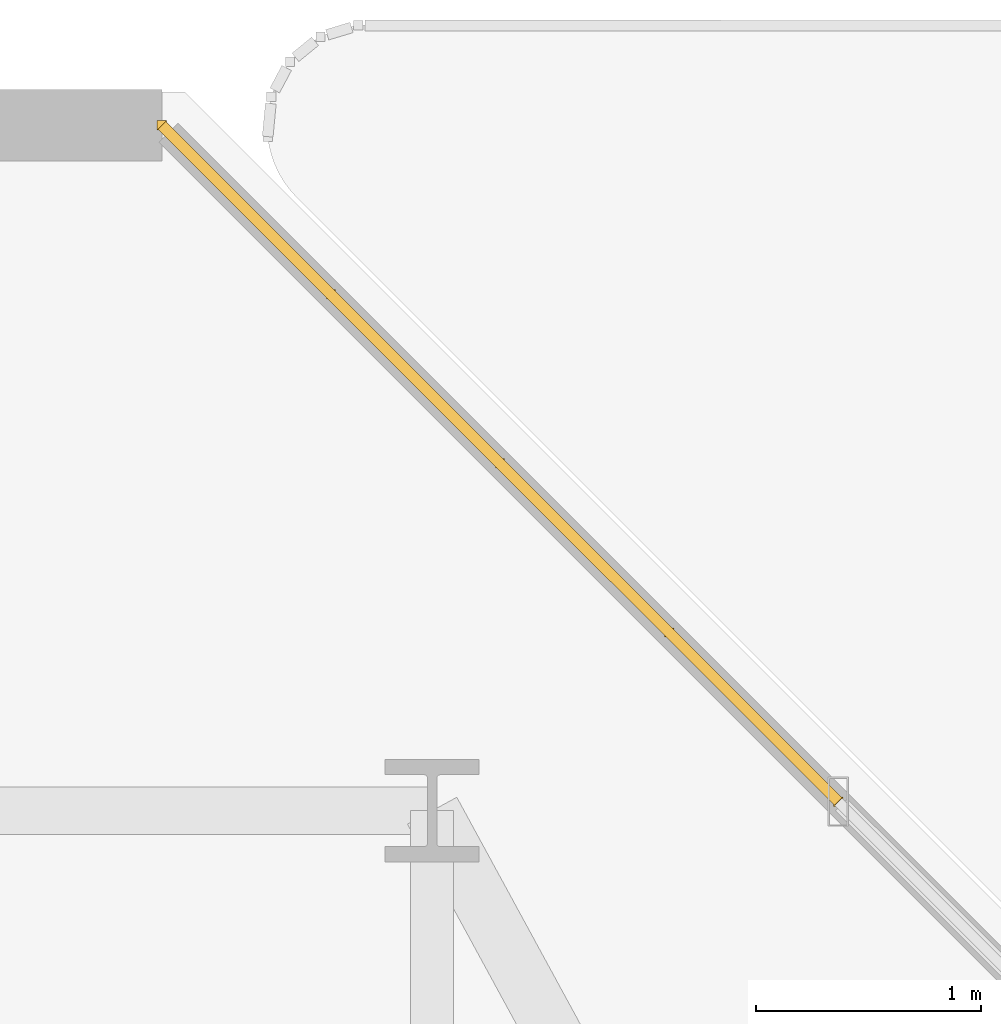
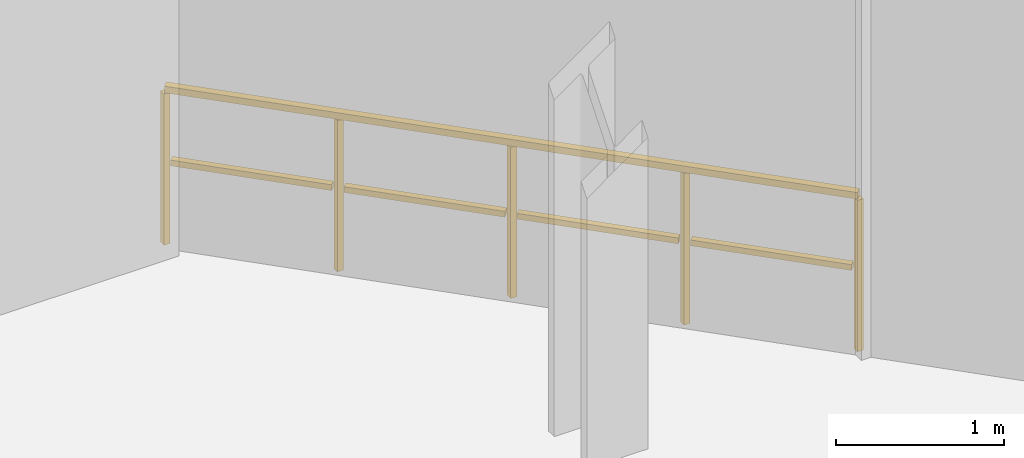
# One storey, part 30 of 30: 1 railing.
"""IFC4 building model written with IfcOpenShell, lengths in metres."""

from ifc_helpers import new_model, si_unit, direction, frame, origin, origin_2d, place, context, subcontext, project, spatial, rectangle, extrude, material, type_object, element, save


model = new_model("IFC4")

# Units and contexts
model_context = context("Model", 3, precision=1e-05, world=origin(), true_north=direction((0.0, 1.0)))
body_context = subcontext(model_context, "Body", "Model", "MODEL_VIEW")
ifc_project = project(units=[si_unit("LENGTHUNIT", "METRE"), si_unit("AREAUNIT", "SQUARE_METRE"), si_unit("VOLUMEUNIT", "CUBIC_METRE"), si_unit("PLANEANGLEUNIT", "RADIAN"), si_unit("MASSUNIT", "GRAM", prefix="KILO")], contexts=[model_context])

# Site, building, storey
site_placement = place(None, origin())
site = spatial("IfcSite", under=ifc_project, at=site_placement, CompositionType="ELEMENT")
building_placement = place(site_placement, origin())
building = spatial("IfcBuilding", under=site, at=building_placement, Name="Thornwick Lancets Civic Towers", CompositionType="ELEMENT")
storey_placement = place(building_placement, frame((0.0, 0.0, 75.89990234375)))
storey = spatial("IfcBuildingStorey", under=building, at=storey_placement, Name="L19", CompositionType="ELEMENT", Elevation=75.89990234375)

# Railing
ifc_material = material(Name="Terracotta-capped laminated glass balustrade S355", Category="masonry")
railing_type = type_object("IfcRailingType", Name="RAIL_TERR_GUARD", PredefinedType="GUARDRAIL", material=ifc_material)
railing_placement = place(storey_placement, frame((103.30859375, 47.940673828125, 0.0)))
element("IfcRailing", 1, at=railing_placement, inside=storey, type_object=railing_type, Name="L19 Tower B Chamfer Spandrel Guard E3-1", PredefinedType="GUARDRAIL", context=body_context, shape_type="SweptSolid", body=[
    extrude(rectangle(XDim=0.048095703125, YDim=0.048095703125, at=origin_2d()), frame((0.0, 0.0, 1.1259765625), z_axis=(-0.707135435093, 0.707078126119, 0.0), x_axis=(-0.707078126119, -0.707135435093, 0.0)), (0.0, 0.0, 1.0), 4.260009765625),
    extrude(rectangle(XDim=0.0419921875, YDim=0.0419921875, at=origin_2d()), frame((-0.026611328125, 0.026611328125, 0.597900390625), z_axis=(-0.707135435093, 0.707078126119, 0.0), x_axis=(-0.707078126119, -0.707135435093, 0.0)), (0.0, 0.0, 1.0), 0.989990234375),
    extrude(rectangle(XDim=0.0419921875, YDim=0.0419921875, at=origin_2d()), frame((-0.779541015625, 0.779541015625, 0.597900390625), z_axis=(-0.707135435093, 0.707078126119, 0.0), x_axis=(-0.707078126119, -0.707135435093, 0.0)), (0.0, 0.0, 1.0), 0.989990234375),
    extrude(rectangle(XDim=0.0419921875, YDim=0.0419921875, at=origin_2d()), frame((-1.53271484375, 1.53271484375, 0.597900390625), z_axis=(-0.707135435093, 0.707078126119, 0.0), x_axis=(-0.707078126119, -0.707135435093, 0.0)), (0.0, 0.0, 1.0), 0.989990234375),
    extrude(rectangle(XDim=0.0419921875, YDim=0.0419921875, at=origin_2d()), frame((-2.285888671875, 2.28564453125, 0.597900390625), z_axis=(-0.707135435093, 0.707078126119, 0.0), x_axis=(-0.707078126119, -0.707135435093, 0.0)), (0.0, 0.0, 1.0), 0.989990234375),
    extrude(rectangle(XDim=0.0419921875, YDim=0.0419921875, at=origin_2d()), origin(), (0.0, 0.0, 1.0), 1.095703125),
    extrude(rectangle(XDim=0.0419921875, YDim=0.0419921875, at=origin_2d()), frame((-0.753173828125, 0.7529296875, 0.0)), (0.0, 0.0, 1.0), 1.095703125),
    extrude(rectangle(XDim=0.0419921875, YDim=0.0419921875, at=origin_2d()), frame((-1.50634765625, 1.506103515625, 0.0)), (0.0, 0.0, 1.0), 1.095703125),
    extrude(rectangle(XDim=0.0419921875, YDim=0.0419921875, at=origin_2d()), frame((-2.25927734375, 2.25927734375, 0.0)), (0.0, 0.0, 1.0), 1.095703125),
    extrude(rectangle(XDim=0.0419921875, YDim=0.0419921875, at=origin_2d()), frame((-3.012451171875, 3.01220703125, 0.0)), (0.0, 0.0, 1.0), 1.095703125),
])

save(model, "model.ifc")
